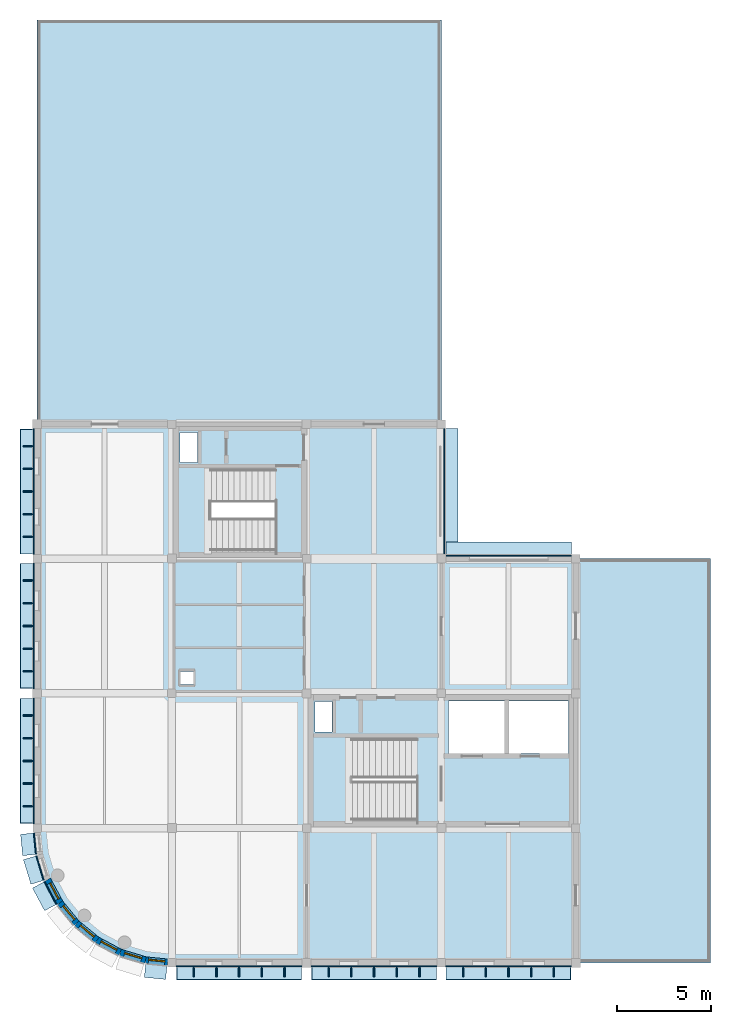
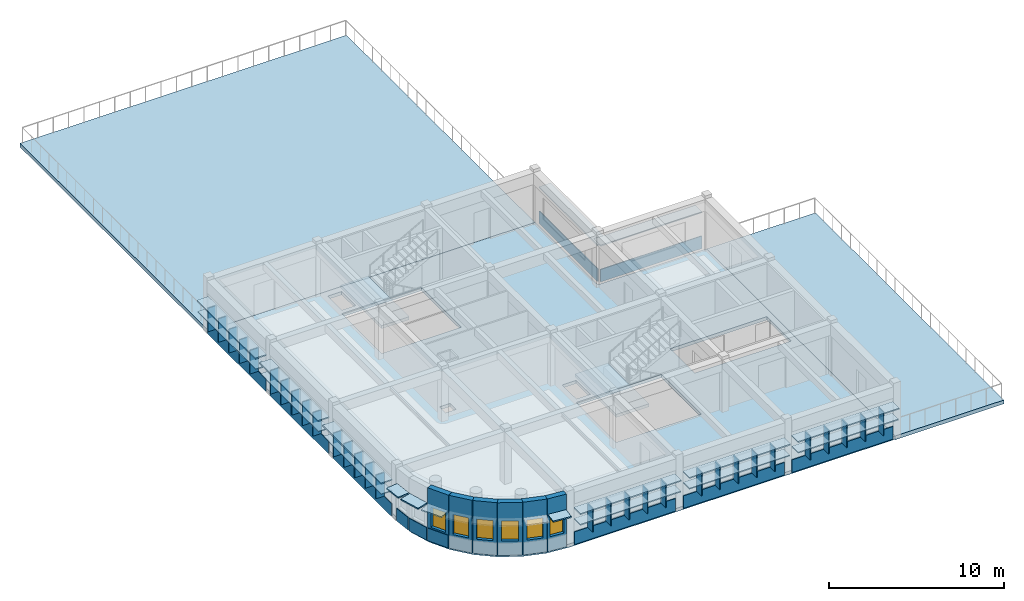
# One storey, part 2 of 7: 59 plates, 6 walls, 6 windows, 5 slabs, 6 openings, 2 elements without a shape of their own.
"""IFC4 building model written with IfcOpenShell, lengths in metres."""

from ifc_helpers import new_model, si_unit, direction, frame, frame_2d, origin, origin_2d, place, context, subcontext, project, spatial, polyline, rectangle, outline, extrude, material, layer, layer_set, type_object, element, fill, aggregate, save


model = new_model("IFC4")

# Units and contexts
model_context = context("Model", 3, precision=1e-05, world=origin(), true_north=direction((0.0, 1.0)))
body_context = subcontext(model_context, "Body", "Model", "MODEL_VIEW")
ifc_project = project(units=[si_unit("LENGTHUNIT", "METRE"), si_unit("AREAUNIT", "SQUARE_METRE"), si_unit("VOLUMEUNIT", "CUBIC_METRE"), si_unit("PLANEANGLEUNIT", "RADIAN"), si_unit("MASSUNIT", "GRAM", prefix="KILO")], contexts=[model_context])

# Site, building, storey
site_placement = place(None, origin())
site = spatial("IfcSite", under=ifc_project, at=site_placement, CompositionType="ELEMENT")
building_placement = place(site_placement, origin())
building = spatial("IfcBuilding", under=site, at=building_placement, Name="Thalmaran Polytechnic", CompositionType="ELEMENT")
storey_placement = place(building_placement, frame((0.0, 0.0, 30.60009765625)))
storey = spatial("IfcBuildingStorey", under=building, at=storey_placement, Name="L07", CompositionType="ELEMENT", Elevation=30.60009765625)

# Plates
ifc_material_1 = material(Name="Anodised aluminium spandrel band", Category="aluminium")
ifc_layer_1 = layer(ifc_material_1, 0.054931640625, Name="Anodised aluminium spandrel band")
ifc_layer_set_1 = layer_set([ifc_layer_1], Name="Anodised aluminium spandrel band")
plate_type_1 = type_object("IfcPlateType", Name="PT-BD01", PredefinedType="SHEET", material=ifc_layer_set_1)
for number, where, z_axis, x_axis, name in (
    (1, (0.708740234375, 3.73046875, 0.02001953125), (0.0, 0.0, 1.0), (-0.471396736826, 0.881921264348, 0.0), "Streamline Horizontal Spandrel Band L07-003"),
    (2, (0.156494140625, 5.0634765625, 0.02001953125), (0.0, 0.0, 1.0), (-0.290284677254, 0.956940335732, 0.0), "Streamline Horizontal Spandrel Band L07-004"),
):
    element("IfcPlate", number, at=place(storey_placement, frame(where, z_axis=z_axis, x_axis=x_axis)), inside=storey, type_object=plate_type_1, Name=name, PredefinedType="SHEET", context=body_context, shape_type="SweptSolid", body=[
        extrude(rectangle(XDim=1.371337890625, YDim=0.054931640625, at=origin_2d()), origin(), (0.0, 0.0, 1.0), 0.8798828125),
    ])
plate_1_placement = place(storey_placement, frame((-0.11376953125, 6.36669921875, 0.02001953125), z_axis=(0.0, 0.0, 1.0), x_axis=(-0.09801714033, 0.995184726672, 0.0)))
element("IfcPlate", 3, at=plate_1_placement, inside=storey, type_object=plate_type_1, Name="Streamline Horizontal Spandrel Band L07-005", PredefinedType="SHEET", context=body_context, shape_type="SweptSolid", body=[
    extrude(rectangle(XDim=1.146484375, YDim=0.054931640625, at=origin_2d()), origin(), (0.0, 0.0, 1.0), 0.8798828125),
])
for number, where, z_axis, x_axis, name in (
    (4, (-0.195068359375, 10.79248046875, 0.02001953125), (0.0, 0.0, 1.0), (0.0, 1.0, 0.0), "Streamline Horizontal Spandrel Band L07-006"),
    (5, (-0.195068359375, 18.007568359375, 0.02001953125), (0.0, 0.0, 1.0), (0.0, 1.0, 0.0), "Streamline Horizontal Spandrel Band L07-007"),
    (6, (-0.195068359375, 25.1923828125, 0.02001953125), (0.0, 0.0, 1.0), (0.0, 1.0, 0.0), "Streamline Horizontal Spandrel Band L07-008"),
    (7, (21.760009765625, 25.20751953125, 0.02001953125), (0.0, 0.0, 1.0), (0.0, -1.0, 0.0), "Streamline Horizontal Spandrel Band L07-012"),
    (8, (25.20751953125, 21.760009765625, 0.02001953125), (0.0, 0.0, 1.0), (1.0, 0.0, 0.0), "Streamline Horizontal Spandrel Band L07-013"),
    (9, (25.1923828125, -0.195068359375, 0.02001953125), (0.0, 0.0, 1.0), (-1.0, 0.0, 0.0), "Streamline Horizontal Spandrel Band L07-017"),
    (10, (18.007568359375, -0.195068359375, 0.02001953125), (0.0, 0.0, 1.0), (-1.0, 0.0, 0.0), "Streamline Horizontal Spandrel Band L07-018"),
    (11, (10.79248046875, -0.195068359375, 0.02001953125), (0.0, 0.0, 1.0), (-1.0, 0.0, 0.0), "Streamline Horizontal Spandrel Band L07-019"),
):
    element("IfcPlate", number, at=place(storey_placement, frame(where, z_axis=z_axis, x_axis=x_axis)), inside=storey, type_object=plate_type_1, Name=name, PredefinedType="SHEET", context=body_context, shape_type="SweptSolid", body=[
        extrude(rectangle(XDim=6.695068359375, YDim=0.054931640625, at=origin_2d()), origin(), (0.0, 0.0, 1.0), 0.8798828125),
    ])
ifc_material_2 = material(Name="Anodised aluminium sun-hood eyebrow", Category="aluminium")
ifc_layer_2 = layer(ifc_material_2, 0.0849609375, Name="Anodised aluminium sun-hood eyebrow")
ifc_layer_set_2 = layer_set([ifc_layer_2], Name="Anodised aluminium sun-hood eyebrow")
plate_type_2 = type_object("IfcPlateType", Name="PT-EB01", PredefinedType="SHEET", material=ifc_layer_set_2)
for number, where, z_axis, x_axis, name in (
    (12, (0.404541015625, 3.567626953125, 2.517333984375), (0.0, 0.0, 1.0), (-0.471396736826, 0.881921264348, 0.0), "Streamline Sun-Hood Eyebrow L07-003"),
    (13, (-0.173583984375, 4.96337890625, 2.517333984375), (0.0, 0.0, 1.0), (-0.290284677254, 0.956940335732, 0.0), "Streamline Sun-Hood Eyebrow L07-004"),
):
    element("IfcPlate", number, at=place(storey_placement, frame(where, z_axis=z_axis, x_axis=x_axis)), inside=storey, type_object=plate_type_2, Name=name, PredefinedType="SHEET", context=body_context, shape_type="SweptSolid", body=[
        extrude(rectangle(XDim=1.371337890625, YDim=0.760009765625, at=origin_2d()), origin(), (0.0, 0.0, 1.0), 0.0849609375),
    ])
plate_2_placement = place(storey_placement, frame((-0.457275390625, 6.332763671875, 2.517333984375), z_axis=(0.0, 0.0, 1.0), x_axis=(-0.09801714033, 0.995184726672, 0.0)))
element("IfcPlate", 14, at=plate_2_placement, inside=storey, type_object=plate_type_2, Name="Streamline Sun-Hood Eyebrow L07-005", PredefinedType="SHEET", context=body_context, shape_type="SweptSolid", body=[
    extrude(rectangle(XDim=1.146484375, YDim=0.760009765625, at=origin_2d()), origin(), (0.0, 0.0, 1.0), 0.0849609375),
])
plate_3_placement = place(storey_placement, frame((-0.5400390625, 10.79248046875, 2.517333984375), z_axis=(0.0, 0.0, 1.0), x_axis=(0.0, 1.0, 0.0)))
element("IfcPlate", 15, at=plate_3_placement, inside=storey, type_object=plate_type_2, Name="Streamline Sun-Hood Eyebrow L07-006", PredefinedType="SHEET", context=body_context, shape_type="SweptSolid", body=[
    extrude(rectangle(XDim=6.695068359375, YDim=0.760009765625, at=origin_2d()), origin(), (0.0, 0.0, 1.0), 0.0849609375),
])
plate_4_placement = place(storey_placement, frame((-0.52001953125, 10.79248046875, 1.7421875), z_axis=(0.0, 0.0, 1.0), x_axis=(0.0, 1.0, 0.0)))
element("IfcPlate", 16, at=plate_4_placement, inside=storey, type_object=plate_type_2, Name="Abu Dhabi Horizontal Solar Louvre L07-006", PredefinedType="SHEET", context=body_context, shape_type="SweptSolid", body=[
    extrude(rectangle(XDim=6.655029296875, YDim=0.719970703125, at=origin_2d()), origin(), (0.0, 0.0, 1.0), 0.074951171875),
])
plate_5_placement = place(storey_placement, frame((-0.5400390625, 18.007568359375, 2.517333984375), z_axis=(0.0, 0.0, 1.0), x_axis=(0.0, 1.0, 0.0)))
element("IfcPlate", 17, at=plate_5_placement, inside=storey, type_object=plate_type_2, Name="Streamline Sun-Hood Eyebrow L07-007", PredefinedType="SHEET", context=body_context, shape_type="SweptSolid", body=[
    extrude(rectangle(XDim=6.695068359375, YDim=0.760009765625, at=origin_2d()), origin(), (0.0, 0.0, 1.0), 0.0849609375),
])
plate_6_placement = place(storey_placement, frame((-0.52001953125, 18.007568359375, 1.7421875), z_axis=(0.0, 0.0, 1.0), x_axis=(0.0, 1.0, 0.0)))
element("IfcPlate", 18, at=plate_6_placement, inside=storey, type_object=plate_type_2, Name="Abu Dhabi Horizontal Solar Louvre L07-007", PredefinedType="SHEET", context=body_context, shape_type="SweptSolid", body=[
    extrude(rectangle(XDim=6.655029296875, YDim=0.719970703125, at=origin_2d()), origin(), (0.0, 0.0, 1.0), 0.074951171875),
])
plate_7_placement = place(storey_placement, frame((-0.5400390625, 25.1923828125, 2.517333984375), z_axis=(0.0, 0.0, 1.0), x_axis=(0.0, 1.0, 0.0)))
element("IfcPlate", 19, at=plate_7_placement, inside=storey, type_object=plate_type_2, Name="Streamline Sun-Hood Eyebrow L07-008", PredefinedType="SHEET", context=body_context, shape_type="SweptSolid", body=[
    extrude(rectangle(XDim=6.695068359375, YDim=0.760009765625, at=origin_2d()), origin(), (0.0, 0.0, 1.0), 0.0849609375),
])
plate_8_placement = place(storey_placement, frame((-0.52001953125, 25.1923828125, 1.7421875), z_axis=(0.0, 0.0, 1.0), x_axis=(0.0, 1.0, 0.0)))
element("IfcPlate", 20, at=plate_8_placement, inside=storey, type_object=plate_type_2, Name="Abu Dhabi Horizontal Solar Louvre L07-008", PredefinedType="SHEET", context=body_context, shape_type="SweptSolid", body=[
    extrude(rectangle(XDim=6.655029296875, YDim=0.719970703125, at=origin_2d()), origin(), (0.0, 0.0, 1.0), 0.074951171875),
])
for number, where, z_axis, x_axis, name in (
    (21, (22.10498046875, 25.20751953125, 2.517333984375), (0.0, 0.0, 1.0), (0.0, -1.0, 0.0), "Streamline Sun-Hood Eyebrow L07-012"),
    (22, (25.20751953125, 22.10498046875, 2.517333984375), (0.0, 0.0, 1.0), (1.0, 0.0, 0.0), "Streamline Sun-Hood Eyebrow L07-013"),
    (23, (25.1923828125, -0.5400390625, 2.517333984375), (0.0, 0.0, 1.0), (-1.0, 0.0, 0.0), "Streamline Sun-Hood Eyebrow L07-017"),
):
    element("IfcPlate", number, at=place(storey_placement, frame(where, z_axis=z_axis, x_axis=x_axis)), inside=storey, type_object=plate_type_2, Name=name, PredefinedType="SHEET", context=body_context, shape_type="SweptSolid", body=[
        extrude(rectangle(XDim=6.695068359375, YDim=0.760009765625, at=origin_2d()), origin(), (0.0, 0.0, 1.0), 0.0849609375),
    ])
plate_9_placement = place(storey_placement, frame((25.1923828125, -0.52001953125, 1.7421875), z_axis=(0.0, 0.0, 1.0), x_axis=(-1.0, 0.0, 0.0)))
element("IfcPlate", 24, at=plate_9_placement, inside=storey, type_object=plate_type_2, Name="Abu Dhabi Horizontal Solar Louvre L07-017", PredefinedType="SHEET", context=body_context, shape_type="SweptSolid", body=[
    extrude(rectangle(XDim=6.655029296875, YDim=0.719970703125, at=origin_2d()), origin(), (0.0, 0.0, 1.0), 0.074951171875),
])
plate_10_placement = place(storey_placement, frame((18.007568359375, -0.5400390625, 2.517333984375), z_axis=(0.0, 0.0, 1.0), x_axis=(-1.0, 0.0, 0.0)))
element("IfcPlate", 25, at=plate_10_placement, inside=storey, type_object=plate_type_2, Name="Streamline Sun-Hood Eyebrow L07-018", PredefinedType="SHEET", context=body_context, shape_type="SweptSolid", body=[
    extrude(rectangle(XDim=6.695068359375, YDim=0.760009765625, at=origin_2d()), origin(), (0.0, 0.0, 1.0), 0.0849609375),
])
plate_11_placement = place(storey_placement, frame((18.007568359375, -0.52001953125, 1.7421875), z_axis=(0.0, 0.0, 1.0), x_axis=(-1.0, 0.0, 0.0)))
element("IfcPlate", 26, at=plate_11_placement, inside=storey, type_object=plate_type_2, Name="Abu Dhabi Horizontal Solar Louvre L07-018", PredefinedType="SHEET", context=body_context, shape_type="SweptSolid", body=[
    extrude(rectangle(XDim=6.655029296875, YDim=0.719970703125, at=origin_2d()), origin(), (0.0, 0.0, 1.0), 0.074951171875),
])
plate_12_placement = place(storey_placement, frame((10.79248046875, -0.5400390625, 2.517333984375), z_axis=(0.0, 0.0, 1.0), x_axis=(-1.0, 0.0, 0.0)))
element("IfcPlate", 27, at=plate_12_placement, inside=storey, type_object=plate_type_2, Name="Streamline Sun-Hood Eyebrow L07-019", PredefinedType="SHEET", context=body_context, shape_type="SweptSolid", body=[
    extrude(rectangle(XDim=6.695068359375, YDim=0.760009765625, at=origin_2d()), origin(), (0.0, 0.0, 1.0), 0.0849609375),
])
plate_13_placement = place(storey_placement, frame((10.79248046875, -0.52001953125, 1.7421875), z_axis=(0.0, 0.0, 1.0), x_axis=(-1.0, 0.0, 0.0)))
element("IfcPlate", 28, at=plate_13_placement, inside=storey, type_object=plate_type_2, Name="Abu Dhabi Horizontal Solar Louvre L07-019", PredefinedType="SHEET", context=body_context, shape_type="SweptSolid", body=[
    extrude(rectangle(XDim=6.655029296875, YDim=0.719970703125, at=origin_2d()), origin(), (0.0, 0.0, 1.0), 0.074951171875),
])
plate_14_placement = place(storey_placement, frame((6.332763671875, -0.457275390625, 2.517333984375), z_axis=(0.0, 0.0, 1.0), x_axis=(-0.995184726672, 0.09801714033, 0.0)))
element("IfcPlate", 29, at=plate_14_placement, inside=storey, type_object=plate_type_2, Name="Streamline Sun-Hood Eyebrow L07-020", PredefinedType="SHEET", context=body_context, shape_type="SweptSolid", body=[
    extrude(rectangle(XDim=1.146484375, YDim=0.760009765625, at=origin_2d()), origin(), (0.0, 0.0, 1.0), 0.0849609375),
])
ifc_material_3 = material(Name="Anodised bronze brise-soleil fin")
ifc_layer_3 = layer(ifc_material_3, 0.06494140625, Name="Anodised bronze brise-soleil fin")
ifc_layer_set_3 = layer_set([ifc_layer_3], Name="Anodised bronze brise-soleil fin")
plate_type_3 = type_object("IfcPlateType", Name="PT-FN01", PredefinedType="SHEET", material=ifc_layer_set_3)
for number, where, z_axis, x_axis, name in (
    (30, (-0.4599609375, 8.367919921875, 0.89501953125), (0.0, 0.0, 1.0), (0.0, 1.0, 0.0), "Abu Dhabi Solar Brise-Soleil Fin L07-006-1"),
    (31, (-0.4599609375, 9.580078125, 0.89501953125), (0.0, 0.0, 1.0), (0.0, 1.0, 0.0), "Abu Dhabi Solar Brise-Soleil Fin L07-006-2"),
    (32, (-0.4599609375, 10.79248046875, 0.89501953125), (0.0, 0.0, 1.0), (0.0, 1.0, 0.0), "Abu Dhabi Solar Brise-Soleil Fin L07-006-3"),
    (33, (-0.4599609375, 12.0048828125, 0.89501953125), (0.0, 0.0, 1.0), (0.0, 1.0, 0.0), "Abu Dhabi Solar Brise-Soleil Fin L07-006-4"),
    (34, (-0.4599609375, 13.217041015625, 0.89501953125), (0.0, 0.0, 1.0), (0.0, 1.0, 0.0), "Abu Dhabi Solar Brise-Soleil Fin L07-006-5"),
    (35, (-0.4599609375, 15.5830078125, 0.89501953125), (0.0, 0.0, 1.0), (0.0, 1.0, 0.0), "Abu Dhabi Solar Brise-Soleil Fin L07-007-1"),
    (36, (-0.4599609375, 16.795166015625, 0.89501953125), (0.0, 0.0, 1.0), (0.0, 1.0, 0.0), "Abu Dhabi Solar Brise-Soleil Fin L07-007-2"),
    (37, (-0.4599609375, 18.007568359375, 0.89501953125), (0.0, 0.0, 1.0), (0.0, 1.0, 0.0), "Abu Dhabi Solar Brise-Soleil Fin L07-007-3"),
    (38, (-0.4599609375, 19.2197265625, 0.89501953125), (0.0, 0.0, 1.0), (0.0, 1.0, 0.0), "Abu Dhabi Solar Brise-Soleil Fin L07-007-4"),
    (39, (-0.4599609375, 20.43212890625, 0.89501953125), (0.0, 0.0, 1.0), (0.0, 1.0, 0.0), "Abu Dhabi Solar Brise-Soleil Fin L07-007-5"),
    (40, (-0.4599609375, 22.767822265625, 0.89501953125), (0.0, 0.0, 1.0), (0.0, 1.0, 0.0), "Abu Dhabi Solar Brise-Soleil Fin L07-008-1"),
    (41, (-0.4599609375, 23.980224609375, 0.89501953125), (0.0, 0.0, 1.0), (0.0, 1.0, 0.0), "Abu Dhabi Solar Brise-Soleil Fin L07-008-2"),
    (42, (-0.4599609375, 25.1923828125, 0.89501953125), (0.0, 0.0, 1.0), (0.0, 1.0, 0.0), "Abu Dhabi Solar Brise-Soleil Fin L07-008-3"),
    (43, (-0.4599609375, 26.40478515625, 0.89501953125), (0.0, 0.0, 1.0), (0.0, 1.0, 0.0), "Abu Dhabi Solar Brise-Soleil Fin L07-008-4"),
    (44, (-0.4599609375, 27.6171875, 0.89501953125), (0.0, 0.0, 1.0), (0.0, 1.0, 0.0), "Abu Dhabi Solar Brise-Soleil Fin L07-008-5"),
    (45, (27.6171875, -0.4599609375, 0.89501953125), (0.0, 0.0, 1.0), (-1.0, 0.0, 0.0), "Abu Dhabi Solar Brise-Soleil Fin L07-017-1"),
    (46, (26.40478515625, -0.4599609375, 0.89501953125), (0.0, 0.0, 1.0), (-1.0, 0.0, 0.0), "Abu Dhabi Solar Brise-Soleil Fin L07-017-2"),
    (47, (25.1923828125, -0.4599609375, 0.89501953125), (0.0, 0.0, 1.0), (-1.0, 0.0, 0.0), "Abu Dhabi Solar Brise-Soleil Fin L07-017-3"),
    (48, (23.980224609375, -0.4599609375, 0.89501953125), (0.0, 0.0, 1.0), (-1.0, 0.0, 0.0), "Abu Dhabi Solar Brise-Soleil Fin L07-017-4"),
    (49, (22.767822265625, -0.4599609375, 0.89501953125), (0.0, 0.0, 1.0), (-1.0, 0.0, 0.0), "Abu Dhabi Solar Brise-Soleil Fin L07-017-5"),
    (50, (20.43212890625, -0.4599609375, 0.89501953125), (0.0, 0.0, 1.0), (-1.0, 0.0, 0.0), "Abu Dhabi Solar Brise-Soleil Fin L07-018-1"),
    (51, (19.2197265625, -0.4599609375, 0.89501953125), (0.0, 0.0, 1.0), (-1.0, 0.0, 0.0), "Abu Dhabi Solar Brise-Soleil Fin L07-018-2"),
    (52, (18.007568359375, -0.4599609375, 0.89501953125), (0.0, 0.0, 1.0), (-1.0, 0.0, 0.0), "Abu Dhabi Solar Brise-Soleil Fin L07-018-3"),
    (53, (16.795166015625, -0.4599609375, 0.89501953125), (0.0, 0.0, 1.0), (-1.0, 0.0, 0.0), "Abu Dhabi Solar Brise-Soleil Fin L07-018-4"),
    (54, (15.5830078125, -0.4599609375, 0.89501953125), (0.0, 0.0, 1.0), (-1.0, 0.0, 0.0), "Abu Dhabi Solar Brise-Soleil Fin L07-018-5"),
    (55, (13.217041015625, -0.4599609375, 0.89501953125), (0.0, 0.0, 1.0), (-1.0, 0.0, 0.0), "Abu Dhabi Solar Brise-Soleil Fin L07-019-1"),
    (56, (12.0048828125, -0.4599609375, 0.89501953125), (0.0, 0.0, 1.0), (-1.0, 0.0, 0.0), "Abu Dhabi Solar Brise-Soleil Fin L07-019-2"),
    (57, (10.79248046875, -0.4599609375, 0.89501953125), (0.0, 0.0, 1.0), (-1.0, 0.0, 0.0), "Abu Dhabi Solar Brise-Soleil Fin L07-019-3"),
    (58, (9.580078125, -0.4599609375, 0.89501953125), (0.0, 0.0, 1.0), (-1.0, 0.0, 0.0), "Abu Dhabi Solar Brise-Soleil Fin L07-019-4"),
    (59, (8.367919921875, -0.4599609375, 0.89501953125), (0.0, 0.0, 1.0), (-1.0, 0.0, 0.0), "Abu Dhabi Solar Brise-Soleil Fin L07-019-5"),
):
    element("IfcPlate", number, at=place(storey_placement, frame(where, z_axis=z_axis, x_axis=x_axis)), inside=storey, type_object=plate_type_3, Name=name, PredefinedType="SHEET", context=body_context, shape_type="SweptSolid", body=[
        extrude(rectangle(XDim=0.06494140625, YDim=0.56005859375, at=origin_2d()), origin(), (0.0, 0.0, 1.0), 1.64990234375),
    ])

# Slab
ifc_material_4 = material(Name="Concrete C40/50", Category="concrete")
ifc_layer_4 = layer(ifc_material_4, 0.22998046875, Name="Concrete C40/50")
ifc_layer_set_4 = layer_set([ifc_layer_4], Name="Concrete C40/50")
slab_type_1 = type_object("IfcSlabType", Name="SL-FL08", PredefinedType="FLOOR", material=ifc_layer_set_4)
slab_1_placement = place(storey_placement, frame((0.0, 0.0, -0.22998046875)))
element("IfcSlab", 60, at=slab_1_placement, inside=storey, type_object=slab_type_1, Name="V1S L07 Structural Slab", PredefinedType="FLOOR", context=body_context, shape_type="SweptSolid", body=[
    extrude(outline(polyline([(0.0, 14.39990234375), (0.0, 21.60009765625), (0.0, 28.800048828125), (7.199951171875, 28.800048828125), (14.39990234375, 28.800048828125), (21.60009765625, 28.800048828125), (21.60009765625, 21.60009765625), (28.800048828125, 21.60009765625), (28.800048828125, 14.39990234375), (28.800048828125, 7.199951171875), (28.800048828125, 0.0), (21.60009765625, 0.0), (14.39990234375, 0.0), (7.199951171875, 0.0), (5.79541015625, 0.138427734375), (4.444580078125, 0.548095703125), (3.199951171875, 1.21337890625), (2.10888671875, 2.10888671875), (1.21337890625, 3.199951171875), (0.548095703125, 4.444580078125), (0.138427734375, 5.79541015625), (0.0, 7.199951171875), (0.0, 14.39990234375)]), holes=[polyline([(28.39990234375, 11.199951171875), (28.39990234375, 14.0), (22.0, 14.0), (22.0, 11.199951171875), (28.39990234375, 11.199951171875)]), polyline([(14.64990234375, 12.0400390625), (14.64990234375, 7.449951171875), (20.280029296875, 7.449951171875), (20.280029296875, 12.0400390625), (14.64990234375, 12.0400390625)]), polyline([(15.760009765625, 13.9599609375), (14.840087890625, 13.9599609375), (14.840087890625, 12.340087890625), (15.760009765625, 12.340087890625), (15.760009765625, 13.9599609375)]), polyline([(7.449951171875, 21.85009765625), (12.719970703125, 21.85009765625), (12.719970703125, 26.43994140625), (7.449951171875, 26.43994140625), (7.449951171875, 21.85009765625)]), polyline([(7.639892578125, 28.360107421875), (7.639892578125, 26.739990234375), (8.56005859375, 26.739990234375), (8.56005859375, 28.360107421875), (7.639892578125, 28.360107421875)]), polyline([(8.35009765625, 15.580078125), (7.64990234375, 15.580078125), (7.64990234375, 14.8798828125), (8.35009765625, 14.8798828125), (8.35009765625, 15.580078125)])]), origin(), (0.0, 0.0, 1.0), 0.22998046875),
])

# Stair, slab
stair_type = type_object("IfcStairType", Name="ST-HT39", PredefinedType="HALF_TURN_STAIR", material=ifc_material_4)
stair_1_placement = place(storey_placement, origin())
stair_1 = element("IfcStair", 61, at=stair_1_placement, inside=storey, type_object=stair_type, Name="Exit Stair ST1 L07", PredefinedType="HALF_TURN_STAIR")
ifc_layer_5 = layer(ifc_material_4, 0.2099609375, Name="Concrete C40/50")
ifc_layer_set_5 = layer_set([ifc_layer_5], Name="Concrete C40/50")
slab_type_2 = type_object("IfcSlabType", Name="SL-LD01", PredefinedType="LANDING", material=ifc_layer_set_5)
slab_2_placement = place(storey_placement, frame((0.0, 0.0, 1.739990234375)))
slab_2 = element("IfcSlab", 62, at=slab_2_placement, type_object=slab_type_2, Name="ST1 L07 Half Landing", PredefinedType="LANDING", context=body_context, shape_type="SweptSolid", body=[
    extrude(outline(polyline([(14.639892578125, 7.43994140625), (16.800048828125, 7.43994140625), (16.800048828125, 12.139892578125), (14.639892578125, 12.139892578125), (14.639892578125, 7.43994140625)])), origin(), (0.0, 0.0, 1.0), 0.2099609375),
])
aggregate(stair_1, [slab_2])

stair_2_placement = place(storey_placement, origin())
stair_2 = element("IfcStair", 63, at=stair_2_placement, inside=storey, type_object=stair_type, Name="Exit Stair ST3 L07", PredefinedType="HALF_TURN_STAIR")
slab_3_placement = place(storey_placement, frame((0.0, 0.0, 1.739990234375)))
slab_3 = element("IfcSlab", 64, at=slab_3_placement, type_object=slab_type_2, Name="ST3 L07 Half Landing", PredefinedType="LANDING", context=body_context, shape_type="SweptSolid", body=[
    extrude(outline(polyline([(7.43994140625, 21.840087890625), (9.260009765625, 21.840087890625), (9.260009765625, 26.5400390625), (7.43994140625, 26.5400390625), (7.43994140625, 21.840087890625)])), origin(), (0.0, 0.0, 1.0), 0.2099609375),
])
aggregate(stair_2, [slab_3])

# Slabs
ifc_layer_6 = layer(ifc_material_4, 0.264892578125, Name="Concrete C40/50")
ifc_layer_set_6 = layer_set([ifc_layer_6], Name="Concrete C40/50")
slab_type_3 = type_object("IfcSlabType", Name="SL-TR02", PredefinedType="FLOOR", material=ifc_layer_set_6)
slab_4_placement = place(storey_placement, frame((0.0, 0.0, -0.26513671875)))
element("IfcSlab", 65, at=slab_4_placement, inside=storey, type_object=slab_type_3, Name="V1 L07 Outdoor Terrace Slab", PredefinedType="FLOOR", context=body_context, shape_type="SweptSolid", body=[
    extrude(outline(polyline([(28.800048828125, 7.199951171875), (28.800048828125, 14.39990234375), (28.800048828125, 21.60009765625), (36.0, 21.60009765625), (36.0, 14.39990234375), (36.0, 7.199951171875), (36.0, 0.0), (28.800048828125, 0.0), (28.800048828125, 7.199951171875)])), origin(), (0.0, 0.0, 1.0), 0.26513671875),
])
slab_5_placement = place(storey_placement, frame((0.0, 0.0, -0.26513671875)))
element("IfcSlab", 66, at=slab_5_placement, inside=storey, type_object=slab_type_3, Name="V1 L07 Outdoor Terrace Slab", PredefinedType="FLOOR", context=body_context, shape_type="SweptSolid", body=[
    extrude(outline(polyline([(0.0, 43.199951171875), (0.0, 50.39990234375), (7.199951171875, 50.39990234375), (14.39990234375, 50.39990234375), (21.60009765625, 50.39990234375), (21.60009765625, 43.199951171875), (21.60009765625, 36.0), (21.60009765625, 28.800048828125), (14.39990234375, 28.800048828125), (7.199951171875, 28.800048828125), (0.0, 28.800048828125), (0.0, 36.0), (0.0, 43.199951171875)])), origin(), (0.0, 0.0, 1.0), 0.26513671875),
])

# Wall, opening, window
ifc_material_5 = material(Name="Precast concrete C40/50", Category="concrete")
ifc_layer_7 = layer(ifc_material_5, 0.360107421875, Name="Precast concrete C40/50")
ifc_layer_set_7 = layer_set([ifc_layer_7], Name="Precast concrete C40/50")
wall_type = type_object("IfcWallType", Name="WL-EW01", PredefinedType="STANDARD", material=ifc_layer_set_7)
wall_1_placement = place(storey_placement, frame((3.199951171875, 1.21337890625, 0.0), z_axis=(0.0, 0.0, 1.0), x_axis=(-0.772977670605, 0.634433227965, 0.0)))
wall_1 = element("IfcWall", 67, at=wall_1_placement, inside=storey, type_object=wall_type, Name="Exterior Precast Facade Wall L07-001", PredefinedType="STANDARD", context=body_context, shape_type="SweptSolid", body=[
    extrude(rectangle(XDim=1.41162109375, YDim=0.360107421875, at=frame_2d((0.705810546875, 0.0))), origin(), (0.0, 0.0, 1.0), 3.684814453125),
])
opening_1_placement = place(wall_1_placement, frame((0.2255859375, 0.0, 1.0)))
opening_1 = element("IfcOpeningElement", 68, at=opening_1_placement, cuts=wall_1, Name="Opening CR01", PredefinedType="OPENING", context=body_context, shape_type="SweptSolid", body=[
    extrude(rectangle(XDim=0.9599609375, YDim=1.39990234375, at=frame_2d((0.47998046875, 0.699951171875))), frame((0.0, 0.18994140625, 0.0), z_axis=(0.0, -1.0, 0.0), x_axis=(1.0, 0.0, 0.0)), (0.0, 0.0, 1.0), 0.380126953125),
])
ifc_material_6 = material(Name="Thermally broken aluminium and double low-E glass", Category="aluminium")
window_type_1 = type_object("IfcWindowType", Name="WN-CR01", PartitioningType="SINGLE_PANEL", PredefinedType="WINDOW", material=ifc_material_6)
window_1_placement = place(opening_1_placement, origin())
window_1 = element("IfcWindow", 69, at=window_1_placement, inside=storey, type_object=window_type_1, Name="Curved Prow Ribbon Window W-0764", OverallHeight=1.39990234375, OverallWidth=0.9599609375, PartitioningType="SINGLE_PANEL", PredefinedType="WINDOW", context=body_context, shape_type="SweptSolid", body=[
    extrude(rectangle(XDim=0.9599609375, YDim=1.39990234375, at=frame_2d((0.47998046875, 0.699951171875))), frame((0.0, -0.010009765625, 0.0), z_axis=(0.0, -1.0, 0.0), x_axis=(1.0, 0.0, 0.0)), (0.0, 0.0, 1.0), 0.06005859375),
])
fill(opening_1, window_1)

wall_2_placement = place(storey_placement, frame((2.10888671875, 2.10888671875, 0.0), z_axis=(0.0, 0.0, 1.0), x_axis=(-0.634433227965, 0.772977670605, 0.0)))
wall_2 = element("IfcWall", 70, at=wall_2_placement, inside=storey, type_object=wall_type, Name="Exterior Precast Facade Wall L07-002", PredefinedType="STANDARD", context=body_context, shape_type="SweptSolid", body=[
    extrude(rectangle(XDim=1.41162109375, YDim=0.360107421875, at=frame_2d((0.705810546875, 0.0))), origin(), (0.0, 0.0, 1.0), 3.684814453125),
])
opening_2_placement = place(wall_2_placement, frame((0.2255859375, 0.0, 1.0)))
opening_2 = element("IfcOpeningElement", 71, at=opening_2_placement, cuts=wall_2, Name="Opening CR01", PredefinedType="OPENING", context=body_context, shape_type="SweptSolid", body=[
    extrude(rectangle(XDim=0.9599609375, YDim=1.39990234375, at=frame_2d((0.47998046875, 0.699951171875))), frame((0.0, 0.18994140625, 0.0), z_axis=(0.0, -1.0, 0.0), x_axis=(1.0, 0.0, 0.0)), (0.0, 0.0, 1.0), 0.380126953125),
])
window_2_placement = place(opening_2_placement, origin())
window_2 = element("IfcWindow", 72, at=window_2_placement, inside=storey, type_object=window_type_1, Name="Curved Prow Ribbon Window W-0765", OverallHeight=1.39990234375, OverallWidth=0.9599609375, PartitioningType="SINGLE_PANEL", PredefinedType="WINDOW", context=body_context, shape_type="SweptSolid", body=[
    extrude(rectangle(XDim=0.9599609375, YDim=1.39990234375, at=frame_2d((0.47998046875, 0.699951171875))), frame((0.0, -0.010009765625, 0.0), z_axis=(0.0, -1.0, 0.0), x_axis=(1.0, 0.0, 0.0)), (0.0, 0.0, 1.0), 0.06005859375),
])
fill(opening_2, window_2)

wall_3_placement = place(storey_placement, frame((1.21337890625, 3.199951171875, 0.0), z_axis=(0.0, 0.0, 1.0), x_axis=(-0.471405109778, 0.881916788861, 0.0)))
wall_3 = element("IfcWall", 73, at=wall_3_placement, inside=storey, type_object=wall_type, Name="Exterior Precast Facade Wall L07-003", PredefinedType="STANDARD", context=body_context, shape_type="SweptSolid", body=[
    extrude(rectangle(XDim=1.411376953125, YDim=0.360107421875, at=frame_2d((0.70556640625, 0.0))), origin(), (0.0, 0.0, 1.0), 3.684814453125),
])
opening_3_placement = place(wall_3_placement, frame((0.2255859375, 0.0, 1.0)))
opening_3 = element("IfcOpeningElement", 74, at=opening_3_placement, cuts=wall_3, Name="Opening CR01", PredefinedType="OPENING", context=body_context, shape_type="SweptSolid", body=[
    extrude(rectangle(XDim=0.9599609375, YDim=1.39990234375, at=frame_2d((0.47998046875, 0.699951171875))), frame((0.0, 0.18994140625, 0.0), z_axis=(0.0, -1.0, 0.0), x_axis=(1.0, 0.0, 0.0)), (0.0, 0.0, 1.0), 0.380126953125),
])
window_3_placement = place(opening_3_placement, origin())
window_3 = element("IfcWindow", 75, at=window_3_placement, inside=storey, type_object=window_type_1, Name="Curved Prow Ribbon Window W-0766", OverallHeight=1.39990234375, OverallWidth=0.9599609375, PartitioningType="SINGLE_PANEL", PredefinedType="WINDOW", context=body_context, shape_type="SweptSolid", body=[
    extrude(rectangle(XDim=0.9599609375, YDim=1.39990234375, at=frame_2d((0.47998046875, 0.699951171875))), frame((0.0, -0.010009765625, 0.0), z_axis=(0.0, -1.0, 0.0), x_axis=(1.0, 0.0, 0.0)), (0.0, 0.0, 1.0), 0.06005859375),
])
fill(opening_3, window_3)

wall_4_placement = place(storey_placement, frame((6.97607421875, 0.02197265625, 0.0), z_axis=(0.0, 0.0, 1.0), x_axis=(-0.995170754178, 0.098158901932, 0.0)))
wall_4 = element("IfcWall", 76, at=wall_4_placement, inside=storey, type_object=wall_type, Name="Exterior Precast Facade Wall L07-020", PredefinedType="STANDARD", context=body_context, shape_type="SweptSolid", body=[
    extrude(rectangle(XDim=1.186279296875, YDim=0.360107421875, at=frame_2d((0.59326171875, 0.0))), origin(), (0.0, 0.0, 1.0), 3.684814453125),
])
opening_4_placement = place(wall_4_placement, frame((0.1533203125, 0.0, 1.0)))
opening_4 = element("IfcOpeningElement", 77, at=opening_4_placement, cuts=wall_4, Name="Opening CR02", PredefinedType="OPENING", context=body_context, shape_type="SweptSolid", body=[
    extrude(rectangle(XDim=0.8798828125, YDim=1.300048828125, at=frame_2d((0.43994140625, 0.64990234375))), frame((0.0, 0.18994140625, 0.0), z_axis=(0.0, -1.0, 0.0), x_axis=(1.0, 0.0, 0.0)), (0.0, 0.0, 1.0), 0.380126953125),
])
window_type_2 = type_object("IfcWindowType", Name="WN-CR02", PartitioningType="SINGLE_PANEL", PredefinedType="WINDOW", material=ifc_material_6)
window_4_placement = place(opening_4_placement, origin())
window_4 = element("IfcWindow", 78, at=window_4_placement, inside=storey, type_object=window_type_2, Name="Curved Prow Ribbon Window W-0783", OverallHeight=1.300048828125, OverallWidth=0.8798828125, PartitioningType="SINGLE_PANEL", PredefinedType="WINDOW", context=body_context, shape_type="SweptSolid", body=[
    extrude(rectangle(XDim=0.8798828125, YDim=1.300048828125, at=frame_2d((0.43994140625, 0.64990234375))), frame((0.0, -0.010009765625, 0.0), z_axis=(0.0, -1.0, 0.0), x_axis=(1.0, 0.0, 0.0)), (0.0, 0.0, 1.0), 0.06005859375),
])
fill(opening_4, window_4)

wall_5_placement = place(storey_placement, frame((5.79541015625, 0.138427734375, 0.0), z_axis=(0.0, 0.0, 1.0), x_axis=(-0.95696037757, 0.290218599957, 0.0)))
wall_5 = element("IfcWall", 79, at=wall_5_placement, inside=storey, type_object=wall_type, Name="Exterior Precast Facade Wall L07-021", PredefinedType="STANDARD", context=body_context, shape_type="SweptSolid", body=[
    extrude(rectangle(XDim=1.41162109375, YDim=0.360107421875, at=frame_2d((0.705810546875, 0.0))), origin(), (0.0, 0.0, 1.0), 3.684814453125),
])
opening_5_placement = place(wall_5_placement, frame((0.2255859375, 0.0, 1.0)))
opening_5 = element("IfcOpeningElement", 80, at=opening_5_placement, cuts=wall_5, Name="Opening CR01", PredefinedType="OPENING", context=body_context, shape_type="SweptSolid", body=[
    extrude(rectangle(XDim=0.9599609375, YDim=1.39990234375, at=frame_2d((0.47998046875, 0.699951171875))), frame((0.0, 0.18994140625, 0.0), z_axis=(0.0, -1.0, 0.0), x_axis=(1.0, 0.0, 0.0)), (0.0, 0.0, 1.0), 0.380126953125),
])
window_5_placement = place(opening_5_placement, origin())
window_5 = element("IfcWindow", 81, at=window_5_placement, inside=storey, type_object=window_type_1, Name="Curved Prow Ribbon Window W-0784", OverallHeight=1.39990234375, OverallWidth=0.9599609375, PartitioningType="SINGLE_PANEL", PredefinedType="WINDOW", context=body_context, shape_type="SweptSolid", body=[
    extrude(rectangle(XDim=0.9599609375, YDim=1.39990234375, at=frame_2d((0.47998046875, 0.699951171875))), frame((0.0, -0.010009765625, 0.0), z_axis=(0.0, -1.0, 0.0), x_axis=(1.0, 0.0, 0.0)), (0.0, 0.0, 1.0), 0.06005859375),
])
fill(opening_5, window_5)

wall_6_placement = place(storey_placement, frame((4.444580078125, 0.548095703125, 0.0), z_axis=(0.0, 0.0, 1.0), x_axis=(-0.881916788861, 0.471405109778, 0.0)))
wall_6 = element("IfcWall", 82, at=wall_6_placement, inside=storey, type_object=wall_type, Name="Exterior Precast Facade Wall L07-022", PredefinedType="STANDARD", context=body_context, shape_type="SweptSolid", body=[
    extrude(rectangle(XDim=1.411376953125, YDim=0.360107421875, at=frame_2d((0.70556640625, 0.0))), origin(), (0.0, 0.0, 1.0), 3.684814453125),
])
opening_6_placement = place(wall_6_placement, frame((0.2255859375, 0.0, 1.0)))
opening_6 = element("IfcOpeningElement", 83, at=opening_6_placement, cuts=wall_6, Name="Opening CR01", PredefinedType="OPENING", context=body_context, shape_type="SweptSolid", body=[
    extrude(rectangle(XDim=0.9599609375, YDim=1.39990234375, at=frame_2d((0.47998046875, 0.699951171875))), frame((0.0, 0.18994140625, 0.0), z_axis=(0.0, -1.0, 0.0), x_axis=(1.0, 0.0, 0.0)), (0.0, 0.0, 1.0), 0.380126953125),
])
window_6_placement = place(opening_6_placement, origin())
window_6 = element("IfcWindow", 84, at=window_6_placement, inside=storey, type_object=window_type_1, Name="Curved Prow Ribbon Window W-0785", OverallHeight=1.39990234375, OverallWidth=0.9599609375, PartitioningType="SINGLE_PANEL", PredefinedType="WINDOW", context=body_context, shape_type="SweptSolid", body=[
    extrude(rectangle(XDim=0.9599609375, YDim=1.39990234375, at=frame_2d((0.47998046875, 0.699951171875))), frame((0.0, -0.010009765625, 0.0), z_axis=(0.0, -1.0, 0.0), x_axis=(1.0, 0.0, 0.0)), (0.0, 0.0, 1.0), 0.06005859375),
])
fill(opening_6, window_6)

save(model, "model.ifc")
